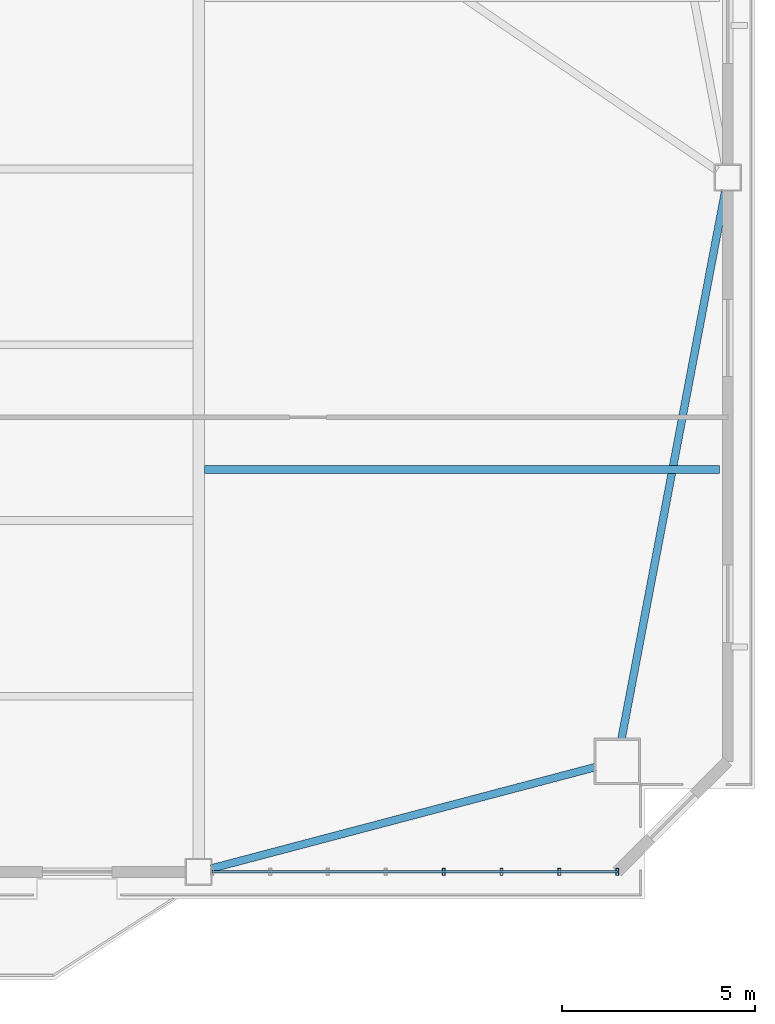
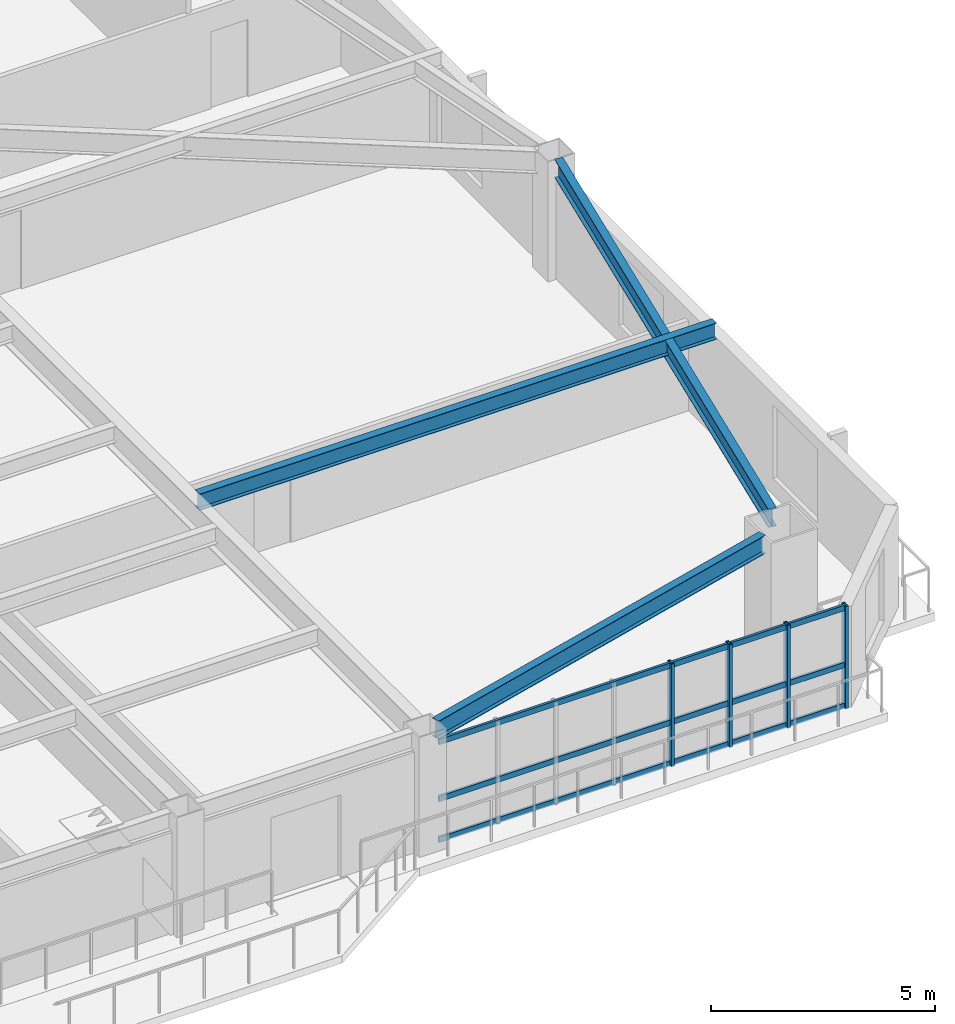
# One storey, part 5 of 15: 7 members, 3 beams, 1 element without a shape of its own.
"""IFC4 building model written with IfcOpenShell, lengths in metres."""

from ifc_helpers import new_model, si_unit, direction, frame, origin, origin_2d, place, context, subcontext, project, spatial, hollow_rectangle, i_section, extrude, source, transform, mapped, material, layer, layer_set, material_profile, profile_set, type_object, element, aggregate, save


model = new_model("IFC4")

# Units and contexts
model_context = context("Model", 3, precision=1e-05, world=origin(), true_north=direction((0.0, 1.0)))
body_context = subcontext(model_context, "Body", "Model", "MODEL_VIEW")
ifc_project = project(units=[si_unit("LENGTHUNIT", "METRE"), si_unit("AREAUNIT", "SQUARE_METRE"), si_unit("VOLUMEUNIT", "CUBIC_METRE"), si_unit("PLANEANGLEUNIT", "RADIAN"), si_unit("MASSUNIT", "GRAM", prefix="KILO")], contexts=[model_context])

# Site, building, storey
site_placement = place(None, origin())
site = spatial("IfcSite", under=ifc_project, at=site_placement, CompositionType="ELEMENT")
building_placement = place(site_placement, origin())
building = spatial("IfcBuilding", under=site, at=building_placement, Name="Giltprow Tower", CompositionType="ELEMENT")
storey_placement = place(building_placement, frame((0.0, 0.0, 180.699951171875)))
storey = spatial("IfcBuildingStorey", under=building, at=storey_placement, Name="L45", CompositionType="ELEMENT", Elevation=180.699951171875)

# Beams
ifc_material_1 = material(Name="Structural steel Q355B", Category="steel")
ifc_material_profile_1 = material_profile(ifc_material_1, i_section(OverallWidth=0.199951171875, OverallDepth=0.5, WebThickness=0.010009765625, FlangeThickness=0.01611328125, at=origin_2d()), Name="HN 500x200x10x16")
ifc_profile_set_1 = profile_set([ifc_material_profile_1], Name="Structural steel Q355B")
beam_type_1 = type_object("IfcBeamType", Name="BM-SPAN-HN500", PredefinedType="SPANDREL", material=ifc_profile_set_1)
shared_shape_1 = source(origin(), body_context, "Body", "SweptSolid", [
    extrude(i_section(OverallWidth=0.199951171875, OverallDepth=0.5, WebThickness=0.010009765625, FlangeThickness=0.01611328125, at=origin_2d()), origin(), (0.0, 0.0, 1.0), 10.286865234375),
])
beam_1_placement = place(storey_placement, frame((50.8740234375, 10.239990234375, 3.02001953125), z_axis=(0.966868553861, 0.25527475307, 0.0), x_axis=(-0.25527475307, 0.966868553861, 0.0)))
element("IfcBeam", 1, at=beam_1_placement, inside=storey, type_object=beam_type_1, Name="L45 Perimeter Spandrel Beam S4-MC_SE", PredefinedType="SPANDREL", context=body_context, shape_type="MappedRepresentation", body=[
    mapped(shared_shape_1, transform((0.0, 0.0, 0.0), x_axis=(1.0, 0.0, 0.0), y_axis=(0.0, 1.0, 0.0), z_axis=(0.0, 0.0, 1.0), scale=1.0)),
])
shared_shape_2 = source(origin(), body_context, "Body", "SweptSolid", [
    extrude(i_section(OverallWidth=0.199951171875, OverallDepth=0.5, WebThickness=0.010009765625, FlangeThickness=0.01611328125, at=origin_2d()), origin(), (0.0, 0.0, 1.0), 14.46044921875),
])
beam_2_placement = place(storey_placement, frame((61.4951171875, 13.590087890625, 3.02001953125), z_axis=(0.186021185186, 0.982545733624, 0.0), x_axis=(-0.982545733624, 0.186021185186, 0.0)))
element("IfcBeam", 2, at=beam_2_placement, inside=storey, type_object=beam_type_1, Name="L45 Perimeter Spandrel Beam MC_SE-E_MID", PredefinedType="SPANDREL", context=body_context, shape_type="MappedRepresentation", body=[
    mapped(shared_shape_2, transform((0.0, 0.0, 0.0), x_axis=(1.0, 0.0, 0.0), y_axis=(0.0, 1.0, 0.0), z_axis=(0.0, 0.0, 1.0), scale=1.0)),
])
ifc_material_profile_2 = material_profile(ifc_material_1, i_section(OverallWidth=0.199951171875, OverallDepth=0.449951171875, WebThickness=0.009033203125, FlangeThickness=0.013916015625, at=origin_2d()), Name="HN 450x200x9x14")
ifc_profile_set_2 = profile_set([ifc_material_profile_2], Name="Structural steel Q355B")
beam_type_2 = type_object("IfcBeamType", Name="BM-JOIST-HN450", PredefinedType="JOIST", material=ifc_profile_set_2)
shared_shape_3 = source(origin(), body_context, "Body", "SweptSolid", [
    extrude(i_section(OverallWidth=0.199951171875, OverallDepth=0.449951171875, WebThickness=0.009033203125, FlangeThickness=0.013916015625, at=origin_2d()), origin(), (0.0, 0.0, 1.0), 13.33203125),
])
beam_3_placement = place(storey_placement, frame((50.695068359375, 20.571044921875, 3.045166015625), z_axis=(1.0, 0.0, 0.0), x_axis=(0.0, 1.0, 0.0)))
element("IfcBeam", 3, at=beam_3_placement, inside=storey, type_object=beam_type_2, Name="L45 East Wing Floor Joist 1", PredefinedType="JOIST", context=body_context, shape_type="MappedRepresentation", body=[
    mapped(shared_shape_3, transform((0.0, 0.0, 0.0), x_axis=(1.0, 0.0, 0.0), y_axis=(0.0, 1.0, 0.0), z_axis=(0.0, 0.0, 1.0), scale=1.0)),
])

# Curtain wall, members
ifc_material_2 = material(Name="Anodized bronze", Category="metal")
ifc_layer = layer(ifc_material_2, 0.179931640625, Name="Anodized bronze")
ifc_layer_set = layer_set([ifc_layer], Name="Anodized bronze")
curtain_wall_type = type_object("IfcCurtainWallType", Name="CW-HTL-BRONZE", PredefinedType="NOTDEFINED", material=ifc_layer_set)
curtain_wall_placement = place(storey_placement, origin())
curtain_wall = element("IfcCurtainWall", 4, at=curtain_wall_placement, inside=storey, type_object=curtain_wall_type, Name="L45 South Recessed Curtain Wall 6", PredefinedType="NOTDEFINED")
ifc_material_profile_3 = material_profile(ifc_material_2, hollow_rectangle(XDim=0.074951171875, YDim=0.179931640625, WallThickness=0.008056640625, at=origin_2d()), Name="RHS 180x75x8")
ifc_profile_set_3 = profile_set([ifc_material_profile_3], Name="Anodized bronze")
member_type_1 = type_object("IfcMemberType", Name="CW-MULLION-180x75", PredefinedType="MULLION", material=ifc_profile_set_3)
shared_shape_4 = source(origin(), body_context, "Body", "SweptSolid", [
    extrude(hollow_rectangle(XDim=0.074951171875, YDim=0.179931640625, WallThickness=0.008056640625, at=origin_2d()), origin(), (0.0, 0.0, 1.0), 2.80517578125),
])
member_1_placement = place(storey_placement, frame((56.89208984375, 10.154052734375, -0.02001953125), z_axis=(0.0, 0.0, 1.0), x_axis=(1.0, 0.0, 0.0)))
member_1 = element("IfcMember", 5, at=member_1_placement, type_object=member_type_1, Name="L45 South Recessed Curtain Wall 6 Mullion 5", PredefinedType="MULLION", context=body_context, shape_type="MappedRepresentation", body=[
    mapped(shared_shape_4, transform((0.0, 0.0, 0.0), x_axis=(1.0, 0.0, 0.0), y_axis=(0.0, 1.0, 0.0), z_axis=(0.0, 0.0, 1.0), scale=1.0)),
])
member_2_placement = place(storey_placement, frame((58.389892578125, 10.154052734375, -0.02001953125), z_axis=(0.0, 0.0, 1.0), x_axis=(1.0, 0.0, 0.0)))
member_2 = element("IfcMember", 6, at=member_2_placement, type_object=member_type_1, Name="L45 South Recessed Curtain Wall 6 Mullion 6", PredefinedType="MULLION", context=body_context, shape_type="MappedRepresentation", body=[
    mapped(shared_shape_4, transform((0.0, 0.0, 0.0), x_axis=(1.0, 0.0, 0.0), y_axis=(0.0, 1.0, 0.0), z_axis=(0.0, 0.0, 1.0), scale=1.0)),
])
member_3_placement = place(storey_placement, frame((59.887939453125, 10.154052734375, -0.02001953125), z_axis=(0.0, 0.0, 1.0), x_axis=(1.0, 0.0, 0.0)))
member_3 = element("IfcMember", 7, at=member_3_placement, type_object=member_type_1, Name="L45 South Recessed Curtain Wall 6 Mullion 7", PredefinedType="MULLION", context=body_context, shape_type="MappedRepresentation", body=[
    mapped(shared_shape_4, transform((0.0, 0.0, 0.0), x_axis=(1.0, 0.0, 0.0), y_axis=(0.0, 1.0, 0.0), z_axis=(0.0, 0.0, 1.0), scale=1.0)),
])
member_4_placement = place(storey_placement, frame((61.385986328125, 10.154052734375, -0.02001953125), z_axis=(0.0, 0.0, 1.0), x_axis=(1.0, 0.0, 0.0)))
member_4 = element("IfcMember", 8, at=member_4_placement, type_object=member_type_1, Name="L45 South Recessed Curtain Wall 6 Mullion 8", PredefinedType="MULLION", context=body_context, shape_type="MappedRepresentation", body=[
    mapped(shared_shape_4, transform((0.0, 0.0, 0.0), x_axis=(1.0, 0.0, 0.0), y_axis=(0.0, 1.0, 0.0), z_axis=(0.0, 0.0, 1.0), scale=1.0)),
])
ifc_material_profile_4 = material_profile(ifc_material_2, hollow_rectangle(XDim=0.06494140625, YDim=0.14990234375, WallThickness=0.006103515625, at=origin_2d()), Name="RHS 150x65x6")
ifc_profile_set_4 = profile_set([ifc_material_profile_4], Name="Anodized bronze")
member_type_2 = type_object("IfcMemberType", Name="CW-TRANSOM-150x65", PredefinedType="USERDEFINED", material=ifc_profile_set_4)
shared_shape_5 = source(origin(), body_context, "Body", "SweptSolid", [
    extrude(hollow_rectangle(XDim=0.06494140625, YDim=0.14990234375, WallThickness=0.006103515625, at=origin_2d()), origin(), (0.0, 0.0, 1.0), 10.486083984375),
])
member_5_placement = place(storey_placement, frame((50.89990234375, 10.154052734375, 0.0400390625), z_axis=(1.0, 0.0, 0.0), x_axis=(0.0, 1.0, 0.0)))
member_5 = element("IfcMember", 9, at=member_5_placement, type_object=member_type_2, Name="L45 South Recessed Curtain Wall 6 Transom 1", ObjectType="TRANSOM", PredefinedType="USERDEFINED", context=body_context, shape_type="MappedRepresentation", body=[
    mapped(shared_shape_5, transform((0.0, 0.0, 0.0), x_axis=(1.0, 0.0, 0.0), y_axis=(0.0, 1.0, 0.0), z_axis=(0.0, 0.0, 1.0), scale=1.0)),
])
member_6_placement = place(storey_placement, frame((50.89990234375, 10.154052734375, 1.155029296875), z_axis=(1.0, 0.0, 0.0), x_axis=(0.0, 1.0, 0.0)))
member_6 = element("IfcMember", 10, at=member_6_placement, type_object=member_type_2, Name="L45 South Recessed Curtain Wall 6 Transom 2", ObjectType="TRANSOM", PredefinedType="USERDEFINED", context=body_context, shape_type="MappedRepresentation", body=[
    mapped(shared_shape_5, transform((0.0, 0.0, 0.0), x_axis=(1.0, 0.0, 0.0), y_axis=(0.0, 1.0, 0.0), z_axis=(0.0, 0.0, 1.0), scale=1.0)),
])
member_7_placement = place(storey_placement, frame((50.89990234375, 10.154052734375, 2.7099609375), z_axis=(1.0, 0.0, 0.0), x_axis=(0.0, 1.0, 0.0)))
member_7 = element("IfcMember", 11, at=member_7_placement, type_object=member_type_2, Name="L45 South Recessed Curtain Wall 6 Transom 3", ObjectType="TRANSOM", PredefinedType="USERDEFINED", context=body_context, shape_type="MappedRepresentation", body=[
    mapped(shared_shape_5, transform((0.0, 0.0, 0.0), x_axis=(1.0, 0.0, 0.0), y_axis=(0.0, 1.0, 0.0), z_axis=(0.0, 0.0, 1.0), scale=1.0)),
])
aggregate(curtain_wall, [member_1, member_2, member_3, member_4, member_5, member_6, member_7])

save(model, "model.ifc")
